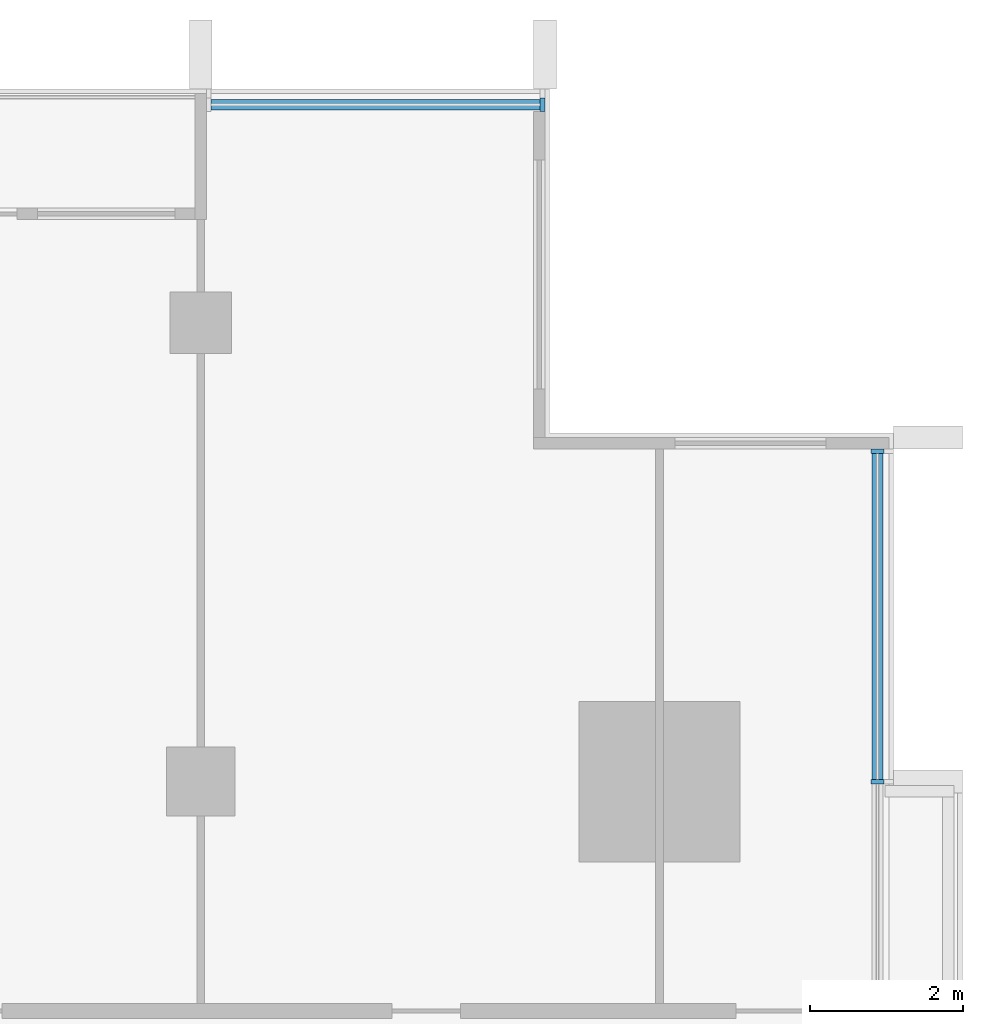
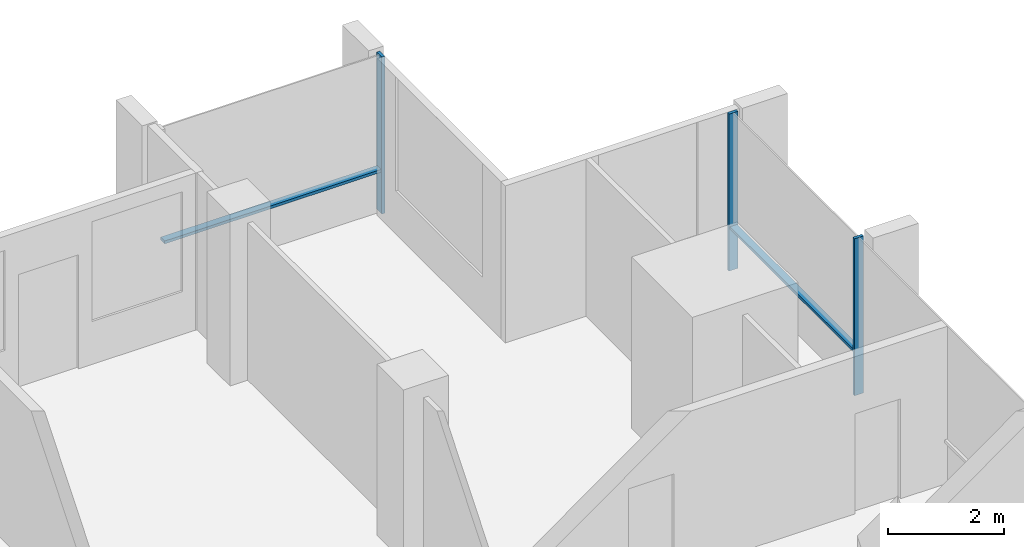
# One storey, part 5 of 16: 5 members, 2 elements without a shape of their own.
"""IFC4 building model written with IfcOpenShell, lengths in metres."""

from ifc_helpers import new_model, si_unit, direction, frame, origin, origin_2d, place, context, subcontext, project, spatial, rectangle, extrude, material, material_profile, profile_set, type_object, element, aggregate, save


model = new_model("IFC4")

# Units and contexts
model_context = context("Model", 3, precision=1e-05, world=origin(), true_north=direction((0.0, 1.0)))
body_context = subcontext(model_context, "Body", "Model", "MODEL_VIEW")
ifc_project = project(units=[si_unit("LENGTHUNIT", "METRE"), si_unit("AREAUNIT", "SQUARE_METRE"), si_unit("VOLUMEUNIT", "CUBIC_METRE"), si_unit("PLANEANGLEUNIT", "RADIAN"), si_unit("MASSUNIT", "GRAM", prefix="KILO")], contexts=[model_context])

# Site, building, storey
site_placement = place(None, origin())
site = spatial("IfcSite", under=ifc_project, at=site_placement, CompositionType="ELEMENT")
building_placement = place(site_placement, origin())
building = spatial("IfcBuilding", under=site, at=building_placement, Name="Finial Court Residences", CompositionType="ELEMENT")
storey_placement = place(building_placement, frame((0.0, 0.0, 230.300048828125)))
storey = spatial("IfcBuildingStorey", under=building, at=storey_placement, Name="L58", CompositionType="ELEMENT", Elevation=230.300048828125)

# Curtain wall, member
ifc_material = material(Name="Bronze anodised aluminium", Category="aluminium")
curtain_wall_type = type_object("IfcCurtainWallType", Name="Unitised curtain wall, upper zones", PredefinedType="NOTDEFINED", material=ifc_material)
curtain_wall_1_placement = place(storey_placement, origin())
curtain_wall_1 = element("IfcCurtainWall", 1, at=curtain_wall_1_placement, inside=storey, type_object=curtain_wall_type, Name="E-L58-CW-N3", PredefinedType="NOTDEFINED")
ifc_material_profile_1 = material_profile(ifc_material, rectangle(XDim=0.175048828125, YDim=0.06005859375, at=origin_2d()), Name="CW2 mullion 60 x 175")
ifc_profile_set_1 = profile_set([ifc_material_profile_1], Name="Bronze anodised aluminium")
member_type_1 = type_object("IfcMemberType", Name="CW2 mullion 60 x 175", PredefinedType="MULLION", material=ifc_profile_set_1)
member_1_placement = place(storey_placement, frame((14.969970703125, 16.35009765625, 0.0), z_axis=(0.0, 0.0, 1.0), x_axis=(0.0, 1.0, 0.0)))
member_1 = element("IfcMember", 2, at=member_1_placement, type_object=member_type_1, Name="CW2 mullion 2", PredefinedType="MULLION", context=body_context, shape_type="SweptSolid", body=[
    extrude(rectangle(XDim=0.175048828125, YDim=0.06005859375, at=origin_2d()), origin(), (0.0, 0.0, 1.0), 3.300048828125),
])

# Curtain wall, members
curtain_wall_2_placement = place(storey_placement, origin())
curtain_wall_2 = element("IfcCurtainWall", 3, at=curtain_wall_2_placement, inside=storey, type_object=curtain_wall_type, Name="E-L58-CW-E6", PredefinedType="NOTDEFINED")
member_2_placement = place(storey_placement, frame((19.35009765625, 7.5, 0.0), z_axis=(0.0, 0.0, 1.0), x_axis=(-1.0, 0.0, 0.0)))
member_2 = element("IfcMember", 4, at=member_2_placement, type_object=member_type_1, Name="CW2 mullion 2", PredefinedType="MULLION", context=body_context, shape_type="SweptSolid", body=[
    extrude(rectangle(XDim=0.175048828125, YDim=0.06005859375, at=origin_2d()), origin(), (0.0, 0.0, 1.0), 3.300048828125),
])
member_3_placement = place(storey_placement, frame((19.35009765625, 11.820068359375, 0.0), z_axis=(0.0, 0.0, 1.0), x_axis=(-1.0, 0.0, 0.0)))
member_3 = element("IfcMember", 5, at=member_3_placement, type_object=member_type_1, Name="CW2 mullion 3", PredefinedType="MULLION", context=body_context, shape_type="SweptSolid", body=[
    extrude(rectangle(XDim=0.175048828125, YDim=0.06005859375, at=origin_2d()), origin(), (0.0, 0.0, 1.0), 3.300048828125),
])

# Member
ifc_material_profile_2 = material_profile(ifc_material, rectangle(XDim=0.139892578125, YDim=0.06005859375, at=origin_2d()), Name="CW2 transom 60 x 140")
ifc_profile_set_2 = profile_set([ifc_material_profile_2], Name="Bronze anodised aluminium")
member_type_2 = type_object("IfcMemberType", Name="CW2 transom 60 x 140", PredefinedType="USERDEFINED", material=ifc_profile_set_2)
member_4_placement = place(storey_placement, frame((10.635009765625, 16.35009765625, 0.89990234375), z_axis=(1.0, 0.0, 0.0), x_axis=(0.0, 1.0, 0.0)))
member_4 = element("IfcMember", 6, at=member_4_placement, type_object=member_type_2, Name="CW2 transom 1.1", ObjectType="TRANSOM", PredefinedType="USERDEFINED", context=body_context, shape_type="SweptSolid", body=[
    extrude(rectangle(XDim=0.139892578125, YDim=0.06005859375, at=origin_2d()), origin(), (0.0, 0.0, 1.0), 4.304931640625),
])

aggregate(curtain_wall_1, [member_1, member_4])

member_5_placement = place(storey_placement, frame((19.35009765625, 7.530029296875, 0.89990234375), z_axis=(0.0, 1.0, 0.0), x_axis=(-1.0, 0.0, 0.0)))
member_5 = element("IfcMember", 7, at=member_5_placement, type_object=member_type_2, Name="CW2 transom 2.1", ObjectType="TRANSOM", PredefinedType="USERDEFINED", context=body_context, shape_type="SweptSolid", body=[
    extrude(rectangle(XDim=0.139892578125, YDim=0.06005859375, at=origin_2d()), origin(), (0.0, 0.0, 1.0), 4.260009765625),
])

aggregate(curtain_wall_2, [member_2, member_3, member_5])

save(model, "model.ifc")
